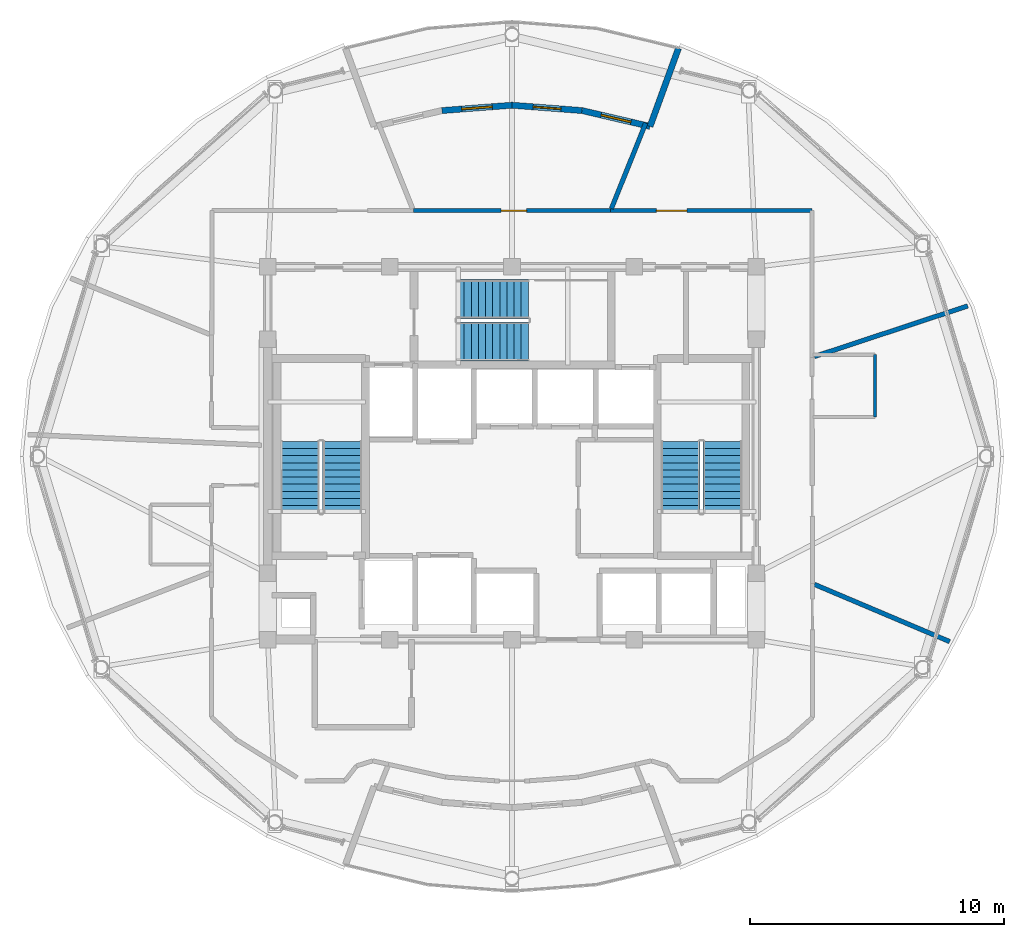
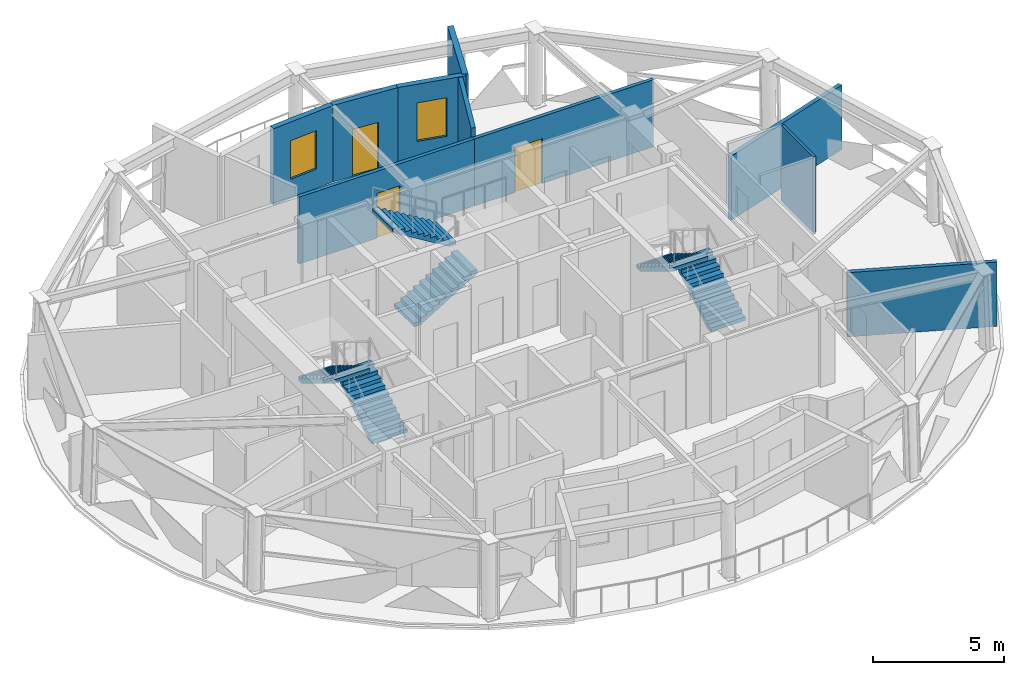
# One storey, part 9 of 13: 10 walls, 6 stair flights, 3 doors, 2 windows, 5 openings, 3 elements without a shape of their own.
"""IFC4 building model written with IfcOpenShell, lengths in metres."""

from ifc_helpers import new_model, si_unit, direction, frame, frame_2d, origin, place, context, subcontext, project, spatial, polyline, rectangle, outline, extrude, material, layer, layer_set, type_object, element, fill, aggregate, save


model = new_model("IFC4")

# Units and contexts
model_context = context("Model", 3, precision=1e-05, world=origin(), true_north=direction((0.0, 1.0)))
body_context = subcontext(model_context, "Body", "Model", "MODEL_VIEW")
ifc_project = project(units=[si_unit("LENGTHUNIT", "METRE"), si_unit("AREAUNIT", "SQUARE_METRE"), si_unit("VOLUMEUNIT", "CUBIC_METRE"), si_unit("PLANEANGLEUNIT", "RADIAN"), si_unit("MASSUNIT", "GRAM", prefix="KILO")], contexts=[model_context])

# Site, building, storey
site_placement = place(None, origin())
site = spatial("IfcSite", under=ifc_project, at=site_placement, CompositionType="ELEMENT")
building_placement = place(site_placement, origin())
building = spatial("IfcBuilding", under=site, at=building_placement, Name="Vantalir Tower", CompositionType="ELEMENT")
storey_placement = place(building_placement, frame((0.0, 0.0, 286.35009765625)))
storey = spatial("IfcBuildingStorey", under=building, at=storey_placement, Name="L72", CompositionType="ELEMENT", Elevation=286.35009765625)

# Wall
ifc_material_1 = material(Name="Moisture-resistant en-suite partition", Category="gypsum")
ifc_layer_1 = layer(ifc_material_1, 0.125)
ifc_layer_set_1 = layer_set([ifc_layer_1], Name="Moisture-resistant en-suite partition")
wall_type_1 = type_object("IfcWallType", Name="WL-BATH-125", PredefinedType="PARTITIONING", material=ifc_layer_set_1)
wall_1_placement = place(storey_placement, frame((45.764892578125, 26.550048828125, 0.0), z_axis=(0.0, 0.0, 1.0), x_axis=(0.0, 1.0, 0.0)))
element("IfcWall", 1, at=wall_1_placement, inside=storey, type_object=wall_type_1, Name="L72 Accessible WC East Wall", PredefinedType="PARTITIONING", context=body_context, shape_type="SweptSolid", body=[
    extrude(rectangle(XDim=2.449951171875, YDim=0.125, at=frame_2d((1.22509765625, 0.0))), origin(), (0.0, 0.0, 1.0), 3.5498046875),
])

# Wall, opening, door
ifc_material_2 = material(Name="Fire-rated hotel corridor acoustic partition", Category="gypsum")
ifc_layer_2 = layer(ifc_material_2, 0.159912109375)
ifc_layer_set_2 = layer_set([ifc_layer_2], Name="Fire-rated hotel corridor acoustic partition")
wall_type_2 = type_object("IfcWallType", Name="WL-CORR-160", PredefinedType="PARTITIONING", material=ifc_layer_set_2)
wall_2_placement = place(storey_placement, frame((27.6240234375, 34.660888671875, 0.0), z_axis=(0.0, 0.0, 1.0), x_axis=(1.0, 0.0, 0.0)))
wall_2 = element("IfcWall", 2, at=wall_2_placement, inside=storey, type_object=wall_type_2, Name="L72 Corridor Partition 05", PredefinedType="PARTITIONING", context=body_context, shape_type="SweptSolid", body=[
    extrude(rectangle(XDim=7.751953125, YDim=0.159912109375, at=frame_2d((3.8759765625, 0.0))), origin(), (0.0, 0.0, 1.0), 3.1318359375),
])
opening_1_placement = place(wall_2_placement, frame((3.450927734375, 0.0, 0.0)))
opening_1 = element("IfcOpeningElement", 3, at=opening_1_placement, cuts=wall_2, Name="Opening D-GUEST", PredefinedType="OPENING", context=body_context, shape_type="SweptSolid", body=[
    extrude(rectangle(XDim=1.0, YDim=2.10009765625, at=frame_2d((0.5, 1.050048828125))), frame((0.0, 0.08984375, 0.0), z_axis=(0.0, -1.0, 0.0), x_axis=(1.0, 0.0, 0.0)), (0.0, 0.0, 1.0), 0.179931640625),
])
ifc_material_3 = material(Name="Solid-core teak veneer acoustic fire door", Category="wood")
door_type_1 = type_object("IfcDoorType", Name="DR-GUEST-ENTRY-1000", OperationType="NOTDEFINED", PredefinedType="DOOR", material=ifc_material_3)
door_1_placement = place(opening_1_placement, origin())
door_1 = element("IfcDoor", 4, at=door_1_placement, inside=storey, type_object=door_type_1, Name="L72 Wind Portal Viewing Lounge 02 Door", OperationType="SINGLE_SWING_LEFT", OverallHeight=2.10009765625, OverallWidth=1.0, PredefinedType="DOOR", context=body_context, shape_type="SweptSolid", body=[
    extrude(rectangle(XDim=1.0, YDim=2.10009765625, at=frame_2d((0.5, 1.050048828125))), frame((0.0, 0.02490234375, 0.0), z_axis=(0.0, -1.0, 0.0), x_axis=(1.0, 0.0, 0.0)), (0.0, 0.0, 1.0), 0.050048828125),
])
fill(opening_1, door_1)

wall_3_placement = place(storey_placement, frame((35.3759765625, 34.660888671875, 0.0), z_axis=(0.0, 0.0, 1.0), x_axis=(0.999999992394, -0.000123334977, 0.0)))
wall_3 = element("IfcWall", 5, at=wall_3_placement, inside=storey, type_object=wall_type_2, Name="L72 Corridor Partition 06", PredefinedType="PARTITIONING", context=body_context, shape_type="SweptSolid", body=[
    extrude(rectangle(XDim=7.91796875, YDim=0.159912109375, at=frame_2d((3.958984375, 0.0))), origin(), (0.0, 0.0, 1.0), 3.1318359375),
])
opening_2_placement = place(wall_3_placement, frame((1.797119140625, 0.0, 0.0)))
opening_2 = element("IfcOpeningElement", 6, at=opening_2_placement, cuts=wall_3, Name="Opening D-STE", PredefinedType="OPENING", context=body_context, shape_type="SweptSolid", body=[
    extrude(rectangle(XDim=1.199951171875, YDim=2.10009765625, at=frame_2d((0.60009765625, 1.050048828125))), frame((0.0, 0.08984375, 0.0), z_axis=(0.0, -1.0, 0.0), x_axis=(1.0, 0.0, 0.0)), (0.0, 0.0, 1.0), 0.179931640625),
])
ifc_material_4 = material(Name="Solid-core teak veneer suite entrance door", Category="wood")
door_type_2 = type_object("IfcDoorType", Name="DR-SUITE-ENTRY-1200", OperationType="NOTDEFINED", PredefinedType="DOOR", material=ifc_material_4)
door_2_placement = place(opening_2_placement, origin())
door_2 = element("IfcDoor", 7, at=door_2_placement, inside=storey, type_object=door_type_2, Name="L72 Club Reading Lounge 01 Door", OperationType="SINGLE_SWING_RIGHT", OverallHeight=2.10009765625, OverallWidth=1.199951171875, PredefinedType="DOOR", context=body_context, shape_type="SweptSolid", body=[
    extrude(rectangle(XDim=1.199951171875, YDim=2.10009765625, at=frame_2d((0.60009765625, 1.050048828125))), frame((0.0, 0.02490234375, 0.0), z_axis=(0.0, -1.0, 0.0), x_axis=(1.0, 0.0, 0.0)), (0.0, 0.0, 1.0), 0.050048828125),
])
fill(opening_2, door_2)

# Wall
ifc_material_5 = material(Name="Precast concrete C40/50 insulated sky-garden wall", Category="concrete")
ifc_layer_3 = layer(ifc_material_5, 0.239990234375)
ifc_layer_set_3 = layer_set([ifc_layer_3], Name="Precast concrete C40/50 insulated sky-garden wall")
wall_type_3 = type_object("IfcWallType", Name="WL-EXT-SG-240", PredefinedType="SOLIDWALL", material=ifc_layer_set_3)
wall_4_placement = place(storey_placement, frame((38.044921875, 41.0458984375, 0.0), z_axis=(0.0, 0.0, 1.0), x_axis=(-0.342132643751, -0.939651666353, 0.0)))
element("IfcWall", 8, at=wall_4_placement, inside=storey, type_object=wall_type_3, Name="L72 Wind Portal Return NA", PredefinedType="SOLIDWALL", context=body_context, shape_type="SweptSolid", body=[
    extrude(rectangle(XDim=3.270263671875, YDim=0.239990234375, at=frame_2d((1.63525390625, 0.0))), origin(), (0.0, 0.0, 1.0), 3.56982421875),
])

# Wall, opening, window
wall_5_placement = place(storey_placement, frame((36.926025390625, 37.972900390625, 0.0), z_axis=(0.0, 0.0, 1.0), x_axis=(-0.973858933753, 0.227153642166, 0.0)))
wall_5 = element("IfcWall", 9, at=wall_5_placement, inside=storey, type_object=wall_type_3, Name="L72 Wind Portal Lounge Wall N1", PredefinedType="SOLIDWALL", context=body_context, shape_type="SweptSolid", body=[
    extrude(rectangle(XDim=2.742919921875, YDim=0.239990234375, at=frame_2d((1.37158203125, 0.0))), origin(), (0.0, 0.0, 1.0), 3.56982421875),
])
opening_3_placement = place(wall_5_placement, frame((0.77099609375, 0.0, 0.89990234375)))
opening_3 = element("IfcOpeningElement", 10, at=opening_3_placement, cuts=wall_5, Name="Opening WN-4", PredefinedType="OPENING", context=body_context, shape_type="SweptSolid", body=[
    extrude(rectangle(XDim=1.199951171875, YDim=1.800048828125, at=frame_2d((0.60009765625, 0.89990234375))), frame((0.0, 0.1298828125, 0.0), z_axis=(0.0, -1.0, 0.0), x_axis=(1.0, 0.0, 0.0)), (0.0, 0.0, 1.0), 0.260009765625),
])
ifc_material_6 = material(Name="Operable smoke-vent Low-E window", Category="glass")
window_type = type_object("IfcWindowType", Name="WIN-SG-1200x1800", PartitioningType="SINGLE_PANEL", PredefinedType="WINDOW", material=ifc_material_6)
window_1_placement = place(opening_3_placement, origin())
window_1 = element("IfcWindow", 11, at=window_1_placement, inside=storey, type_object=window_type, Name="L72 Wind Portal Viewing Window N1", OverallHeight=1.800048828125, OverallWidth=1.199951171875, PartitioningType="SINGLE_PANEL", PredefinedType="WINDOW", context=body_context, shape_type="SweptSolid", body=[
    extrude(rectangle(XDim=1.199951171875, YDim=1.800048828125, at=frame_2d((0.60009765625, 0.89990234375))), frame((0.0, 0.030029296875, 0.0), z_axis=(0.0, -1.0, 0.0), x_axis=(1.0, 0.0, 0.0)), (0.0, 0.0, 1.0), 0.06005859375),
])
fill(opening_3, window_1)

# Wall, opening, door
wall_6_placement = place(storey_placement, frame((34.2548828125, 38.595947265625, 0.0), z_axis=(0.0, 0.0, 1.0), x_axis=(-0.997108296296, 0.075993719852, 0.0)))
wall_6 = element("IfcWall", 12, at=wall_6_placement, inside=storey, type_object=wall_type_3, Name="L72 Wind Portal Lounge Wall N2", PredefinedType="SOLIDWALL", context=body_context, shape_type="SweptSolid", body=[
    extrude(rectangle(XDim=2.762939453125, YDim=0.239990234375, at=frame_2d((1.38134765625, 0.0))), origin(), (0.0, 0.0, 1.0), 3.56982421875),
])
opening_4_placement = place(wall_6_placement, frame((0.8310546875, 0.0, 0.0)))
opening_4 = element("IfcOpeningElement", 13, at=opening_4_placement, cuts=wall_6, Name="Opening D-TR", PredefinedType="OPENING", context=body_context, shape_type="SweptSolid", body=[
    extrude(rectangle(XDim=1.10009765625, YDim=2.199951171875, at=frame_2d((0.550048828125, 1.10009765625))), frame((0.0, 0.1298828125, 0.0), z_axis=(0.0, -1.0, 0.0), x_axis=(1.0, 0.0, 0.0)), (0.0, 0.0, 1.0), 0.260009765625),
])
ifc_material_7 = material(Name="Thermally broken Low-E glazed terrace door", Category="steel")
door_type_3 = type_object("IfcDoorType", Name="DR-EXT-TERR-1100", OperationType="NOTDEFINED", PredefinedType="DOOR", material=ifc_material_7)
door_3_placement = place(opening_4_placement, frame((1.10009765625, 0.0, 0.0), z_axis=(0.0, 0.0, 1.0), x_axis=(-1.0, 0.0, 0.0)))
door_3 = element("IfcDoor", 14, at=door_3_placement, inside=storey, type_object=door_type_3, Name="L72 Wind Portal Loggia Door N", OperationType="SINGLE_SWING_LEFT", OverallHeight=2.199951171875, OverallWidth=1.10009765625, PredefinedType="DOOR", context=body_context, shape_type="SweptSolid", body=[
    extrude(rectangle(XDim=1.10009765625, YDim=2.199951171875, at=frame_2d((0.550048828125, 1.10009765625))), frame((0.0, 0.02490234375, 0.0), z_axis=(0.0, -1.0, 0.0), x_axis=(1.0, 0.0, 0.0)), (0.0, 0.0, 1.0), 0.050048828125),
])
fill(opening_4, door_3)

# Wall, opening, window
wall_7_placement = place(storey_placement, frame((31.5, 38.805908203125, 0.0), z_axis=(0.0, 0.0, 1.0), x_axis=(-0.997108296296, -0.075993719852, 0.0)))
wall_7 = element("IfcWall", 15, at=wall_7_placement, inside=storey, type_object=wall_type_3, Name="L72 Wind Portal Lounge Wall N3", PredefinedType="SOLIDWALL", context=body_context, shape_type="SweptSolid", body=[
    extrude(rectangle(XDim=2.762939453125, YDim=0.239990234375, at=frame_2d((1.38134765625, 0.0))), origin(), (0.0, 0.0, 1.0), 3.56982421875),
])
opening_5_placement = place(wall_7_placement, frame((0.781005859375, 0.0, 0.89990234375)))
opening_5 = element("IfcOpeningElement", 16, at=opening_5_placement, cuts=wall_7, Name="Opening WN-4", PredefinedType="OPENING", context=body_context, shape_type="SweptSolid", body=[
    extrude(rectangle(XDim=1.199951171875, YDim=1.800048828125, at=frame_2d((0.60009765625, 0.89990234375))), frame((0.0, 0.1298828125, 0.0), z_axis=(0.0, -1.0, 0.0), x_axis=(1.0, 0.0, 0.0)), (0.0, 0.0, 1.0), 0.260009765625),
])
window_2_placement = place(opening_5_placement, origin())
window_2 = element("IfcWindow", 17, at=window_2_placement, inside=storey, type_object=window_type, Name="L72 Wind Portal Viewing Window N3", OverallHeight=1.800048828125, OverallWidth=1.199951171875, PartitioningType="SINGLE_PANEL", PredefinedType="WINDOW", context=body_context, shape_type="SweptSolid", body=[
    extrude(rectangle(XDim=1.199951171875, YDim=1.800048828125, at=frame_2d((0.60009765625, 0.89990234375))), frame((0.0, 0.030029296875, 0.0), z_axis=(0.0, -1.0, 0.0), x_axis=(1.0, 0.0, 0.0)), (0.0, 0.0, 1.0), 0.06005859375),
])
fill(opening_5, window_2)

# Walls
ifc_material_8 = material(Name="Twin-stud acoustic fire-rated gypsum partition", Category="gypsum")
ifc_layer_4 = layer(ifc_material_8, 0.179931640625)
ifc_layer_set_4 = layer_set([ifc_layer_4], Name="Twin-stud acoustic fire-rated gypsum partition")
wall_type_4 = type_object("IfcWallType", Name="WL-GUEST-180", PredefinedType="PARTITIONING", material=ifc_layer_set_4)
wall_8_placement = place(storey_placement, frame((43.389892578125, 28.927001953125, 0.0), z_axis=(0.0, 0.0, 1.0), x_axis=(0.949579530616, 0.313526258924, 0.0)))
element("IfcWall", 18, at=wall_8_placement, inside=storey, type_object=wall_type_4, Name="L72 Radial Suite Partition 01", PredefinedType="PARTITIONING", context=body_context, shape_type="SweptSolid", body=[
    extrude(rectangle(XDim=6.34716796875, YDim=0.179931640625, at=frame_2d((3.173583984375, 0.0))), origin(), (0.0, 0.0, 1.0), 3.0029296875),
])
wall_9_placement = place(storey_placement, frame((35.406982421875, 34.739990234375, 0.0), z_axis=(0.0, 0.0, 1.0), x_axis=(0.372365676236, 0.928086096847, 0.0)))
element("IfcWall", 19, at=wall_9_placement, inside=storey, type_object=wall_type_4, Name="L72 Radial Suite Partition 02", PredefinedType="PARTITIONING", context=body_context, shape_type="SweptSolid", body=[
    extrude(rectangle(XDim=3.625732421875, YDim=0.179931640625, at=frame_2d((1.81298828125, 0.0))), origin(), (0.0, 0.0, 1.0), 3.5498046875),
])
wall_10_placement = place(storey_placement, frame((43.389892578125, 19.969970703125, 0.0), z_axis=(0.0, 0.0, 1.0), x_axis=(0.920974839593, -0.389622053838, 0.0)))
element("IfcWall", 20, at=wall_10_placement, inside=storey, type_object=wall_type_4, Name="L72 Radial Suite Partition 09", PredefinedType="PARTITIONING", context=body_context, shape_type="SweptSolid", body=[
    extrude(rectangle(XDim=5.772216796875, YDim=0.179931640625, at=frame_2d((2.88623046875, 0.0))), origin(), (0.0, 0.0, 1.0), 3.0029296875),
])

# Stair, stair flights
ifc_material_9 = material(Name="Concrete C40/50", Category="concrete")
stair_type = type_object("IfcStairType", Name="STR-CORE-1450", PredefinedType="HALF_TURN_STAIR", material=ifc_material_9)
stair_1_placement = place(storey_placement, origin())
stair_1 = element("IfcStair", 21, at=stair_1_placement, inside=storey, type_object=stair_type, Name="L72 Core Exit Stair 1", PredefinedType="HALF_TURN_STAIR")
stair_flight_type = type_object("IfcStairFlightType", Name="FLT-CORE-1450", PredefinedType="STRAIGHT", material=ifc_material_9)
stair_flight_1_placement = place(storey_placement, frame((24.830078125, 22.7900390625, 0.0), z_axis=(0.0, 0.0, 1.0), x_axis=(0.0, 1.0, 0.0)))
stair_flight_1 = element("IfcStairFlight", 22, at=stair_flight_1_placement, type_object=stair_flight_type, Name="ST1 flight 1", NumberOfRisers=11, NumberOfTreads=10, PredefinedType="STRAIGHT", RiserHeight=0.170454545, TreadLength=0.28, context=body_context, shape_type="SweptSolid", body=[
    extrude(outline(polyline([(0.0, 0.0), (0.0, 0.17041015625), (0.280029296875, 0.17041015625), (0.280029296875, 0.3408203125), (0.56005859375, 0.3408203125), (0.56005859375, 0.511474609375), (0.840087890625, 0.511474609375), (0.840087890625, 0.681884765625), (1.1201171875, 0.681884765625), (1.1201171875, 0.852294921875), (1.39990234375, 0.852294921875), (1.39990234375, 1.022705078125), (1.679931640625, 1.022705078125), (1.679931640625, 1.193115234375), (1.9599609375, 1.193115234375), (1.9599609375, 1.363525390625), (2.239990234375, 1.363525390625), (2.239990234375, 1.5341796875), (2.52001953125, 1.5341796875), (2.52001953125, 1.70458984375), (2.800048828125, 1.70458984375), (2.800048828125, 1.875), (2.800048828125, 1.529052734375), (0.288330078125, 0.0), (0.0, 0.0)])), frame((0.0, 0.77001953125, 0.0), z_axis=(0.0, -1.0, 0.0), x_axis=(1.0, 0.0, 0.0)), (0.0, 0.0, 1.0), 1.5400390625),
])
stair_flight_2_placement = place(storey_placement, frame((23.169921875, 25.590087890625, 1.875), z_axis=(0.0, 0.0, 1.0), x_axis=(0.0, -1.0, 0.0)))
stair_flight_2 = element("IfcStairFlight", 23, at=stair_flight_2_placement, type_object=stair_flight_type, Name="ST1 flight 2", NumberOfRisers=11, NumberOfTreads=10, PredefinedType="STRAIGHT", RiserHeight=0.170454545, TreadLength=0.28, context=body_context, shape_type="SweptSolid", body=[
    extrude(outline(polyline([(0.0, 0.0), (0.0, 0.17041015625), (0.280029296875, 0.17041015625), (0.280029296875, 0.3408203125), (0.56005859375, 0.3408203125), (0.56005859375, 0.511474609375), (0.840087890625, 0.511474609375), (0.840087890625, 0.681884765625), (1.1201171875, 0.681884765625), (1.1201171875, 0.852294921875), (1.39990234375, 0.852294921875), (1.39990234375, 1.022705078125), (1.679931640625, 1.022705078125), (1.679931640625, 1.193115234375), (1.9599609375, 1.193115234375), (1.9599609375, 1.363525390625), (2.239990234375, 1.363525390625), (2.239990234375, 1.5341796875), (2.52001953125, 1.5341796875), (2.52001953125, 1.70458984375), (2.800048828125, 1.70458984375), (2.800048828125, 1.875), (2.800048828125, 1.529052734375), (0.288330078125, 0.0), (0.0, 0.0)])), frame((0.0, 0.77001953125, 0.0), z_axis=(0.0, -1.0, 0.0), x_axis=(1.0, 0.0, 0.0)), (0.0, 0.0, 1.0), 1.5400390625),
])
aggregate(stair_1, [stair_flight_1, stair_flight_2])

stair_2_placement = place(storey_placement, origin())
stair_2 = element("IfcStair", 24, at=stair_2_placement, inside=storey, type_object=stair_type, Name="L72 Core Exit Stair 2", PredefinedType="HALF_TURN_STAIR")
stair_flight_3_placement = place(storey_placement, frame((39.780029296875, 22.7900390625, 0.0), z_axis=(0.0, 0.0, 1.0), x_axis=(0.0, 1.0, 0.0)))
stair_flight_3 = element("IfcStairFlight", 25, at=stair_flight_3_placement, type_object=stair_flight_type, Name="ST2 flight 1", NumberOfRisers=11, NumberOfTreads=10, PredefinedType="STRAIGHT", RiserHeight=0.170454545, TreadLength=0.28, context=body_context, shape_type="SweptSolid", body=[
    extrude(outline(polyline([(0.0, 0.0), (0.0, 0.17041015625), (0.280029296875, 0.17041015625), (0.280029296875, 0.3408203125), (0.56005859375, 0.3408203125), (0.56005859375, 0.511474609375), (0.840087890625, 0.511474609375), (0.840087890625, 0.681884765625), (1.1201171875, 0.681884765625), (1.1201171875, 0.852294921875), (1.39990234375, 0.852294921875), (1.39990234375, 1.022705078125), (1.679931640625, 1.022705078125), (1.679931640625, 1.193115234375), (1.9599609375, 1.193115234375), (1.9599609375, 1.363525390625), (2.239990234375, 1.363525390625), (2.239990234375, 1.5341796875), (2.52001953125, 1.5341796875), (2.52001953125, 1.70458984375), (2.800048828125, 1.70458984375), (2.800048828125, 1.875), (2.800048828125, 1.529052734375), (0.288330078125, 0.0), (0.0, 0.0)])), frame((0.0, 0.77001953125, 0.0), z_axis=(0.0, -1.0, 0.0), x_axis=(1.0, 0.0, 0.0)), (0.0, 0.0, 1.0), 1.5400390625),
])
stair_flight_4_placement = place(storey_placement, frame((38.1201171875, 25.590087890625, 1.875), z_axis=(0.0, 0.0, 1.0), x_axis=(0.0, -1.0, 0.0)))
stair_flight_4 = element("IfcStairFlight", 26, at=stair_flight_4_placement, type_object=stair_flight_type, Name="ST2 flight 2", NumberOfRisers=11, NumberOfTreads=10, PredefinedType="STRAIGHT", RiserHeight=0.170454545, TreadLength=0.28, context=body_context, shape_type="SweptSolid", body=[
    extrude(outline(polyline([(0.0, 0.0), (0.0, 0.17041015625), (0.280029296875, 0.17041015625), (0.280029296875, 0.3408203125), (0.56005859375, 0.3408203125), (0.56005859375, 0.511474609375), (0.840087890625, 0.511474609375), (0.840087890625, 0.681884765625), (1.1201171875, 0.681884765625), (1.1201171875, 0.852294921875), (1.39990234375, 0.852294921875), (1.39990234375, 1.022705078125), (1.679931640625, 1.022705078125), (1.679931640625, 1.193115234375), (1.9599609375, 1.193115234375), (1.9599609375, 1.363525390625), (2.239990234375, 1.363525390625), (2.239990234375, 1.5341796875), (2.52001953125, 1.5341796875), (2.52001953125, 1.70458984375), (2.800048828125, 1.70458984375), (2.800048828125, 1.875), (2.800048828125, 1.529052734375), (0.288330078125, 0.0), (0.0, 0.0)])), frame((0.0, 0.77001953125, 0.0), z_axis=(0.0, -1.0, 0.0), x_axis=(1.0, 0.0, 0.0)), (0.0, 0.0, 1.0), 1.5400390625),
])
aggregate(stair_2, [stair_flight_3, stair_flight_4])

stair_3_placement = place(storey_placement, origin())
stair_3 = element("IfcStair", 27, at=stair_3_placement, inside=storey, type_object=stair_type, Name="L72 Core Exit Stair 3", PredefinedType="HALF_TURN_STAIR")
stair_flight_5_placement = place(storey_placement, frame((29.340087890625, 29.52001953125, 0.0), z_axis=(0.0, 0.0, 1.0), x_axis=(1.0, 0.0, 0.0)))
stair_flight_5 = element("IfcStairFlight", 28, at=stair_flight_5_placement, type_object=stair_flight_type, Name="ST3 flight 1", NumberOfRisers=11, NumberOfTreads=10, PredefinedType="STRAIGHT", RiserHeight=0.170454545, TreadLength=0.28, context=body_context, shape_type="SweptSolid", body=[
    extrude(outline(polyline([(0.0, 0.0), (0.0, 0.17041015625), (0.280029296875, 0.17041015625), (0.280029296875, 0.3408203125), (0.56005859375, 0.3408203125), (0.56005859375, 0.511474609375), (0.840087890625, 0.511474609375), (0.840087890625, 0.681884765625), (1.1201171875, 0.681884765625), (1.1201171875, 0.852294921875), (1.39990234375, 0.852294921875), (1.39990234375, 1.022705078125), (1.679931640625, 1.022705078125), (1.679931640625, 1.193115234375), (1.9599609375, 1.193115234375), (1.9599609375, 1.363525390625), (2.239990234375, 1.363525390625), (2.239990234375, 1.5341796875), (2.52001953125, 1.5341796875), (2.52001953125, 1.70458984375), (2.800048828125, 1.70458984375), (2.800048828125, 1.875), (2.800048828125, 1.529052734375), (0.288330078125, 0.0), (0.0, 0.0)])), frame((0.0, 0.77001953125, 0.0), z_axis=(0.0, -1.0, 0.0), x_axis=(1.0, 0.0, 0.0)), (0.0, 0.0, 1.0), 1.5400390625),
])
stair_flight_6_placement = place(storey_placement, frame((32.139892578125, 31.179931640625, 1.875), z_axis=(0.0, 0.0, 1.0), x_axis=(-1.0, 0.0, 0.0)))
stair_flight_6 = element("IfcStairFlight", 29, at=stair_flight_6_placement, type_object=stair_flight_type, Name="ST3 flight 2", NumberOfRisers=11, NumberOfTreads=10, PredefinedType="STRAIGHT", RiserHeight=0.170454545, TreadLength=0.28, context=body_context, shape_type="SweptSolid", body=[
    extrude(outline(polyline([(0.0, 0.0), (0.0, 0.17041015625), (0.280029296875, 0.17041015625), (0.280029296875, 0.3408203125), (0.56005859375, 0.3408203125), (0.56005859375, 0.511474609375), (0.840087890625, 0.511474609375), (0.840087890625, 0.681884765625), (1.1201171875, 0.681884765625), (1.1201171875, 0.852294921875), (1.39990234375, 0.852294921875), (1.39990234375, 1.022705078125), (1.679931640625, 1.022705078125), (1.679931640625, 1.193115234375), (1.9599609375, 1.193115234375), (1.9599609375, 1.363525390625), (2.239990234375, 1.363525390625), (2.239990234375, 1.5341796875), (2.52001953125, 1.5341796875), (2.52001953125, 1.70458984375), (2.800048828125, 1.70458984375), (2.800048828125, 1.875), (2.800048828125, 1.529052734375), (0.288330078125, 0.0), (0.0, 0.0)])), frame((0.0, 0.77001953125, 0.0), z_axis=(0.0, -1.0, 0.0), x_axis=(1.0, 0.0, 0.0)), (0.0, 0.0, 1.0), 1.5400390625),
])
aggregate(stair_3, [stair_flight_5, stair_flight_6])

save(model, "model.ifc")
